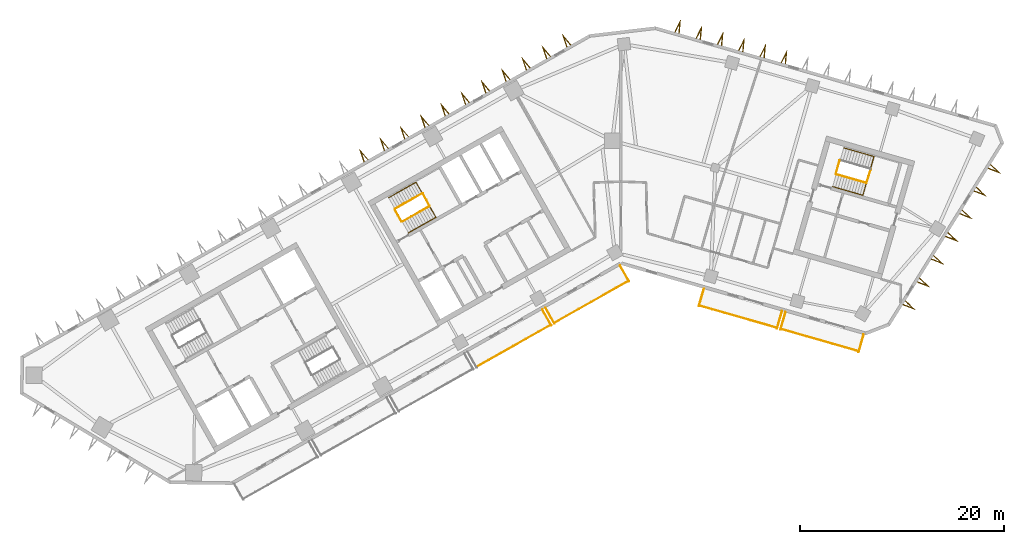
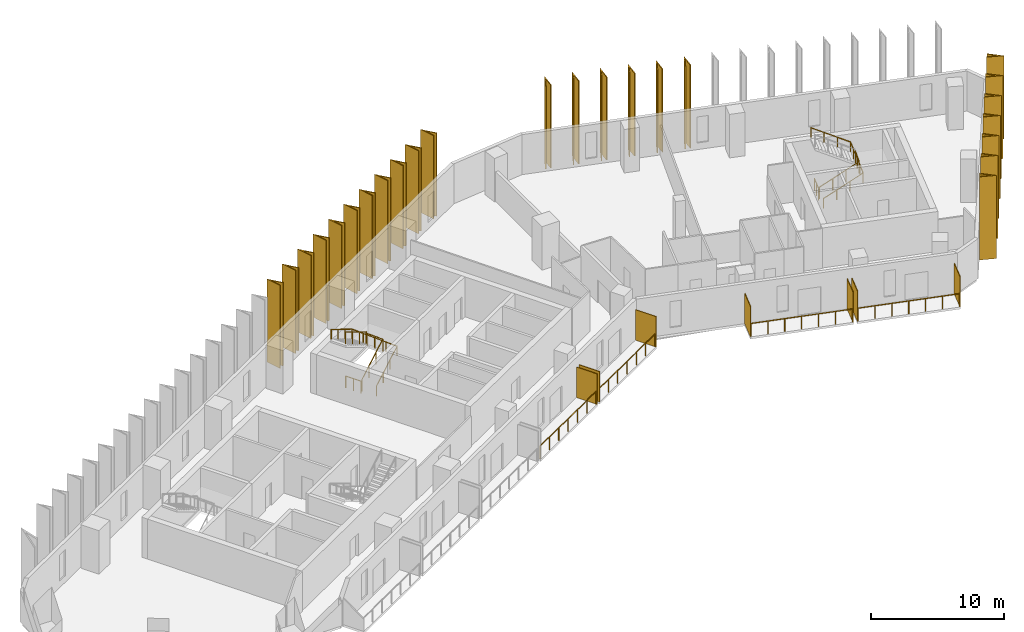
# One storey, part 9 of 10: 31 shading devices, 11 railings.
"""IFC4 building model written with IfcOpenShell, lengths in metres."""

from ifc_helpers import new_model, si_unit, direction, frame, origin, origin_2d, place, context, subcontext, project, spatial, polyline, rectangle, circle, outline, extrude, material, layer, layer_set, type_object, element, save


model = new_model("IFC4")

# Units and contexts
model_context = context("Model", 3, precision=1e-05, world=origin(), true_north=direction((0.0, 1.0)))
body_context = subcontext(model_context, "Body", "Model", "MODEL_VIEW")
ifc_project = project(units=[si_unit("LENGTHUNIT", "METRE"), si_unit("AREAUNIT", "SQUARE_METRE"), si_unit("VOLUMEUNIT", "CUBIC_METRE"), si_unit("PLANEANGLEUNIT", "RADIAN"), si_unit("MASSUNIT", "GRAM", prefix="KILO")], contexts=[model_context])

# Site, building, storey
site_placement = place(None, origin())
site = spatial("IfcSite", under=ifc_project, at=site_placement, CompositionType="ELEMENT")
building_placement = place(site_placement, origin())
building = spatial("IfcBuilding", under=site, at=building_placement, Name="Binnacle Exchange Tower", CompositionType="ELEMENT")
storey_placement = place(building_placement, frame((0.0, 0.0, 194.89990234375)))
storey = spatial("IfcBuildingStorey", under=building, at=storey_placement, Name="L42", CompositionType="ELEMENT", Elevation=194.89990234375)

# Railings
ifc_material_1 = material(Name="Bronze anodised aluminium frame", Category="aluminium")
railing_type_1 = type_object("IfcRailingType", Name="GUARD 1200", PredefinedType="GUARDRAIL", material=ifc_material_1)
railing_1_placement = place(storey_placement, frame((-14.135498046875, 37.85400390625, 0.0)))
element("IfcRailing", 1, at=railing_1_placement, inside=storey, type_object=railing_type_1, Name="Balcony guard G01-B03 L42", PredefinedType="GUARDRAIL", context=body_context, shape_type="SweptSolid", body=[
    extrude(circle(Radius=0.02392578125, at=origin_2d()), frame((0.0, 0.0, 1.17578125), z_axis=(0.870365821494, 0.492405662818, 0.0), x_axis=(-0.492405662818, 0.870365821494, 0.0)), (0.0, 0.0, 1.0), 8.334716796875),
    extrude(circle(Radius=0.02099609375, at=origin_2d()), origin(), (0.0, 0.0, 1.0), 1.15185546875),
    extrude(circle(Radius=0.02099609375, at=origin_2d()), frame((1.208984375, 0.68408203125, 0.0)), (0.0, 0.0, 1.0), 1.15185546875),
    extrude(circle(Radius=0.02099609375, at=origin_2d()), frame((2.41796875, 1.367919921875, 0.0)), (0.0, 0.0, 1.0), 1.15185546875),
    extrude(circle(Radius=0.02099609375, at=origin_2d()), frame((3.626953125, 2.052001953125, 0.0)), (0.0, 0.0, 1.0), 1.15185546875),
    extrude(circle(Radius=0.02099609375, at=origin_2d()), frame((4.836181640625, 2.736083984375, 0.0)), (0.0, 0.0, 1.0), 1.15185546875),
    extrude(circle(Radius=0.02099609375, at=origin_2d()), frame((6.045166015625, 3.419921875, 0.0)), (0.0, 0.0, 1.0), 1.15185546875),
    extrude(circle(Radius=0.02099609375, at=origin_2d()), frame((7.254150390625, 4.10400390625, 0.0)), (0.0, 0.0, 1.0), 1.15185546875),
])
railing_2_placement = place(storey_placement, frame((-6.515869140625, 42.164794921875, 0.0)))
element("IfcRailing", 2, at=railing_2_placement, inside=storey, type_object=railing_type_1, Name="Balcony guard G01-B04 L42", PredefinedType="GUARDRAIL", context=body_context, shape_type="SweptSolid", body=[
    extrude(circle(Radius=0.02392578125, at=origin_2d()), frame((0.0, 0.0, 1.17578125), z_axis=(0.8703461643, 0.49244040684, 0.0), x_axis=(-0.49244040684, 0.8703461643, 0.0)), (0.0, 0.0, 1.0), 8.33447265625),
    extrude(circle(Radius=0.02099609375, at=origin_2d()), origin(), (0.0, 0.0, 1.0), 1.15185546875),
    extrude(circle(Radius=0.02099609375, at=origin_2d()), frame((1.208984375, 0.68408203125, 0.0)), (0.0, 0.0, 1.0), 1.15185546875),
    extrude(circle(Radius=0.02099609375, at=origin_2d()), frame((2.41796875, 1.3681640625, 0.0)), (0.0, 0.0, 1.0), 1.15185546875),
    extrude(circle(Radius=0.02099609375, at=origin_2d()), frame((3.626953125, 2.05224609375, 0.0)), (0.0, 0.0, 1.0), 1.15185546875),
    extrude(circle(Radius=0.02099609375, at=origin_2d()), frame((4.8359375, 2.736083984375, 0.0)), (0.0, 0.0, 1.0), 1.15185546875),
    extrude(circle(Radius=0.02099609375, at=origin_2d()), frame((6.044921875, 3.420166015625, 0.0)), (0.0, 0.0, 1.0), 1.15185546875),
    extrude(circle(Radius=0.02099609375, at=origin_2d()), frame((7.25390625, 4.104248046875, 0.0)), (0.0, 0.0, 1.0), 1.15185546875),
])
for number, where, name in (
    (3, (7.6845703125, 43.85107421875, 0.0), "Balcony guard G02-B01 L42"),
    (4, (15.6826171875, 41.5576171875, 0.0), "Balcony guard G02-B02 L42"),
):
    element("IfcRailing", number, at=place(storey_placement, frame(where)), inside=storey, type_object=railing_type_1, Name=name, PredefinedType="GUARDRAIL", context=body_context, shape_type="SweptSolid", body=[
        extrude(circle(Radius=0.02392578125, at=origin_2d()), frame((0.0, 0.0, 1.17578125), z_axis=(0.961265805968, -0.275623022035, 0.0), x_axis=(0.275623022035, 0.961265805968, 0.0)), (0.0, 0.0, 1.0), 7.900146484375),
        extrude(circle(Radius=0.02099609375, at=origin_2d()), origin(), (0.0, 0.0, 1.0), 1.15185546875),
        extrude(circle(Radius=0.02099609375, at=origin_2d()), frame((1.265625, -0.36279296875, 0.0)), (0.0, 0.0, 1.0), 1.15185546875),
        extrude(circle(Radius=0.02099609375, at=origin_2d()), frame((2.531494140625, -0.725830078125, 0.0)), (0.0, 0.0, 1.0), 1.15185546875),
        extrude(circle(Radius=0.02099609375, at=origin_2d()), frame((3.797119140625, -1.0888671875, 0.0)), (0.0, 0.0, 1.0), 1.15185546875),
        extrude(circle(Radius=0.02099609375, at=origin_2d()), frame((5.062744140625, -1.45166015625, 0.0)), (0.0, 0.0, 1.0), 1.15185546875),
        extrude(circle(Radius=0.02099609375, at=origin_2d()), frame((6.32861328125, -1.814453125, 0.0)), (0.0, 0.0, 1.0), 1.15185546875),
        extrude(circle(Radius=0.02099609375, at=origin_2d()), frame((7.59423828125, -2.177490234375, 0.0)), (0.0, 0.0, 1.0), 1.15185546875),
    ])

# Shading devices
ifc_material_2 = material(Name="Bronze aluminium louvre", Category="aluminium")
ifc_layer = layer(ifc_material_2, 0.06005859375)
ifc_layer_set = layer_set([ifc_layer], Name="PLANTED SCREEN 60x2800")
shading_device_type_1 = type_object("IfcShadingDeviceType", Name="PLANTED SCREEN 60x2800", PredefinedType="USERDEFINED", material=ifc_layer_set)
for number, where, z_axis, x_axis, name in (
    (5, (-7.259033203125, 42.6865234375, 0.0), (0.0, 0.0, 1.0), (0.87035569594, 0.492423560103, 0.0), "Planted screen G01-B03b L42"),
    (6, (-6.94580078125, 42.864013671875, 0.0), (0.0, 0.0, 1.0), (0.87035569594, 0.492423560103, 0.0), "Planted screen G01-B04a L42"),
    (7, (0.3603515625, 46.99755859375, 0.0), (0.0, 0.0, 1.0), (0.87035569594, 0.492423560103, 0.0), "Planted screen G01-B04b L42"),
    (8, (7.881591796875, 44.647705078125, 0.0), (0.0, 0.0, 1.0), (0.961261695938, -0.275637355817, 0.0), "Planted screen G02-B01a L42"),
    (9, (15.53369140625, 42.45361328125, 0.0), (0.0, 0.0, 1.0), (0.961261695938, -0.275637355817, 0.0), "Planted screen G02-B01b L42"),
    (10, (15.8798828125, 42.354248046875, 0.0), (0.0, 0.0, 1.0), (0.961261695938, -0.275637355817, 0.0), "Planted screen G02-B02a L42"),
    (11, (23.53173828125, 40.16015625, 0.0), (0.0, 0.0, 1.0), (0.961261695938, -0.275637355817, 0.0), "Planted screen G02-B02b L42"),
):
    element("IfcShadingDevice", number, at=place(storey_placement, frame(where, z_axis=z_axis, x_axis=x_axis)), inside=storey, type_object=shading_device_type_1, Name=name, ObjectType="SCREEN", PredefinedType="USERDEFINED", context=body_context, shape_type="SweptSolid", body=[
        extrude(rectangle(XDim=0.06005859375, YDim=1.800048828125, at=origin_2d()), origin(), (0.0, 0.0, 1.0), 2.800048828125),
    ])

# Railings
ifc_material_3 = material(Name="Steel guard rail", Category="steel")
railing_type_2 = type_object("IfcRailingType", Name="STAIR GUARD 1100", PredefinedType="GUARDRAIL", material=ifc_material_3)
railing_3_placement = place(storey_placement, frame((-21.423828125, 52.07275390625, 0.166748046875)))
element("IfcRailing", 12, at=railing_3_placement, inside=storey, type_object=railing_type_2, Name="L42 STC1 stair guard 1", PredefinedType="GUARDRAIL", context=body_context, shape_type="SweptSolid", body=[
    extrude(circle(Radius=0.02392578125, at=origin_2d()), frame((0.0, 0.0, 1.076171875), z_axis=(0.747900833971, 0.423129324283, 0.511474258861), x_axis=(-0.492412445098, 0.870361984414, 0.0)), (0.0, 0.0, 1.0), 3.584228515625),
    extrude(circle(Radius=0.02392578125, at=origin_2d()), frame((2.6806640625, 1.5166015625, 2.9091796875), z_axis=(-0.460963092712, 0.887419307406, 0.0), x_axis=(-0.887419307406, -0.460963092712, 0.0)), (0.0, 0.0, 1.0), 1.40087890625),
    extrude(circle(Radius=0.02099609375, at=origin_2d()), origin(), (0.0, 0.0, 1.0), 1.052001953125),
    extrude(circle(Radius=0.02099609375, at=origin_2d()), frame((0.8935546875, 0.505615234375, 0.611083984375)), (0.0, 0.0, 1.0), 1.052001953125),
    extrude(circle(Radius=0.02099609375, at=origin_2d()), frame((1.787109375, 1.010986328125, 1.22216796875)), (0.0, 0.0, 1.0), 1.052001953125),
    extrude(circle(Radius=0.02099609375, at=origin_2d()), frame((2.6806640625, 1.5166015625, 1.833251953125)), (0.0, 0.0, 1.0), 1.052001953125),
    extrude(circle(Radius=0.02099609375, at=origin_2d()), frame((2.35791015625, 2.13818359375, 1.833251953125)), (0.0, 0.0, 1.0), 1.052001953125),
    extrude(circle(Radius=0.02099609375, at=origin_2d()), frame((2.034912109375, 2.759765625, 1.833251953125)), (0.0, 0.0, 1.0), 1.052001953125),
])
railing_4_placement = place(storey_placement, frame((-19.45703125, 54.851318359375, 2.166748046875)))
element("IfcRailing", 13, at=railing_4_placement, inside=storey, type_object=railing_type_2, Name="L42 STC1 stair guard 2", PredefinedType="GUARDRAIL", context=body_context, shape_type="SweptSolid", body=[
    extrude(circle(Radius=0.02392578125, at=origin_2d()), frame((0.0, 0.0, 1.076171875), z_axis=(-0.747900833971, -0.423129324283, 0.511474258861), x_axis=(0.492412445098, -0.870361984414, 0.0)), (0.0, 0.0, 1.0), 3.584228515625),
    extrude(circle(Radius=0.02099609375, at=origin_2d()), origin(), (0.0, 0.0, 1.0), 1.052001953125),
    extrude(circle(Radius=0.02099609375, at=origin_2d()), frame((-0.8935546875, -0.505615234375, 0.611083984375)), (0.0, 0.0, 1.0), 1.052001953125),
    extrude(circle(Radius=0.02099609375, at=origin_2d()), frame((-1.787109375, -1.010986328125, 1.22216796875)), (0.0, 0.0, 1.0), 1.052001953125),
    extrude(circle(Radius=0.02099609375, at=origin_2d()), frame((-2.6806640625, -1.5166015625, 1.833251953125)), (0.0, 0.0, 1.0), 1.052001953125),
])
railing_5_placement = place(storey_placement, frame((-21.491943359375, 52.091552734375, 0.0)))
element("IfcRailing", 14, at=railing_5_placement, inside=storey, type_object=railing_type_2, Name="L42 STC1 stair guard 3", PredefinedType="GUARDRAIL", context=body_context, shape_type="SweptSolid", body=[
    extrude(circle(Radius=0.02392578125, at=origin_2d()), frame((0.0, 0.0, 1.076171875), z_axis=(-0.49241474071, 0.870360685654, 0.0), x_axis=(-0.870360685654, -0.49241474071, 0.0)), (0.0, 0.0, 1.0), 1.35009765625),
    extrude(circle(Radius=0.02099609375, at=origin_2d()), origin(), (0.0, 0.0, 1.0), 1.052001953125),
    extrude(circle(Radius=0.02099609375, at=origin_2d()), frame((-0.33251953125, 0.58740234375, 0.0)), (0.0, 0.0, 1.0), 1.052001953125),
    extrude(circle(Radius=0.02099609375, at=origin_2d()), frame((-0.664794921875, 1.175048828125, 0.0)), (0.0, 0.0, 1.0), 1.052001953125),
])
railing_6_placement = place(storey_placement, frame((21.086669921875, 56.71044921875, 0.166748046875)))
element("IfcRailing", 15, at=railing_6_placement, inside=storey, type_object=railing_type_2, Name="L42 STD1 stair guard 1", PredefinedType="GUARDRAIL", context=body_context, shape_type="SweptSolid", body=[
    extrude(circle(Radius=0.02392578125, at=origin_2d()), frame((0.0, 0.0, 1.076171875), z_axis=(0.826006950853, -0.236897186037, 0.511460888427), x_axis=(0.27568413623, 0.961248280639, 0.0)), (0.0, 0.0, 1.0), 3.584228515625),
    extrude(circle(Radius=0.02392578125, at=origin_2d()), frame((2.960693359375, -0.84912109375, 2.9091796875), z_axis=(0.309684985722, 0.950839213337, 0.0), x_axis=(-0.950839213337, 0.309684985722, 0.0)), (0.0, 0.0, 1.0), 1.40087890625),
    extrude(circle(Radius=0.02099609375, at=origin_2d()), origin(), (0.0, 0.0, 1.0), 1.052001953125),
    extrude(circle(Radius=0.02099609375, at=origin_2d()), frame((0.98681640625, -0.282958984375, 0.611083984375)), (0.0, 0.0, 1.0), 1.052001953125),
    extrude(circle(Radius=0.02099609375, at=origin_2d()), frame((1.973876953125, -0.566162109375, 1.22216796875)), (0.0, 0.0, 1.0), 1.052001953125),
    extrude(circle(Radius=0.02099609375, at=origin_2d()), frame((2.960693359375, -0.84912109375, 1.833251953125)), (0.0, 0.0, 1.0), 1.052001953125),
    extrude(circle(Radius=0.02099609375, at=origin_2d()), frame((3.177734375, -0.18310546875, 1.833251953125)), (0.0, 0.0, 1.0), 1.052001953125),
    extrude(circle(Radius=0.02099609375, at=origin_2d()), frame((3.39453125, 0.48291015625, 1.833251953125)), (0.0, 0.0, 1.0), 1.052001953125),
])
railing_7_placement = place(storey_placement, frame((21.05224609375, 56.772216796875, 0.0)))
element("IfcRailing", 16, at=railing_7_placement, inside=storey, type_object=railing_type_2, Name="L42 STD1 stair guard 3", PredefinedType="GUARDRAIL", context=body_context, shape_type="SweptSolid", body=[
    extrude(circle(Radius=0.02392578125, at=origin_2d()), frame((0.0, 0.0, 1.076171875), z_axis=(0.275795817769, 0.961216243569, 0.0), x_axis=(-0.961216243569, 0.275795817769, 0.0)), (0.0, 0.0, 1.0), 1.349853515625),
    extrude(circle(Radius=0.02099609375, at=origin_2d()), origin(), (0.0, 0.0, 1.0), 1.052001953125),
    extrude(circle(Radius=0.02099609375, at=origin_2d()), frame((0.18603515625, 0.64892578125, 0.0)), (0.0, 0.0, 1.0), 1.052001953125),
    extrude(circle(Radius=0.02099609375, at=origin_2d()), frame((0.372314453125, 1.297607421875, 0.0)), (0.0, 0.0, 1.0), 1.052001953125),
])
ifc_material_4 = material(Name="Steel handrail", Category="steel")
railing_type_3 = type_object("IfcRailingType", Name="STAIR HANDRAIL 900", PredefinedType="HANDRAIL", material=ifc_material_4)
railing_8_placement = place(storey_placement, frame((-20.808349609375, 50.984619140625, 0.166748046875)))
element("IfcRailing", 17, at=railing_8_placement, inside=storey, type_object=railing_type_3, Name="L42 STC1 stair handrail 1", PredefinedType="HANDRAIL", context=body_context, shape_type="SweptSolid", body=[
    extrude(circle(Radius=0.02392578125, at=origin_2d()), frame((0.0, 0.0, 0.8759765625), z_axis=(0.747909291085, 0.423163685048, 0.51143346387), x_axis=(-0.49243851748, 0.870347233294, 0.0)), (0.0, 0.0, 1.0), 3.58447265625),
    extrude(circle(Radius=0.02392578125, at=origin_2d()), frame((2.680908203125, 1.516845703125, 2.708984375), z_axis=(-0.492001882252, 0.86957179666, 0.042178647619), x_axis=(-0.87034633103, -0.492440112159, 0.0)), (0.0, 0.0, 1.0), 3.953369140625),
    extrude(circle(Radius=0.02392578125, at=origin_2d()), frame((0.73583984375, 4.95458984375, 2.8759765625), z_axis=(-0.747930846092, -0.423107769413, 0.511448203561), x_axis=(0.492378474645, -0.870381202524, 0.0)), (0.0, 0.0, 1.0), 3.58447265625),
    extrude(circle(Radius=0.02099609375, at=origin_2d()), origin(), (0.0, 0.0, 1.0), 0.851806640625),
    extrude(circle(Radius=0.02099609375, at=origin_2d()), frame((0.8935546875, 0.505615234375, 0.611083984375)), (0.0, 0.0, 1.0), 0.851806640625),
    extrude(circle(Radius=0.02099609375, at=origin_2d()), frame((1.787353515625, 1.01123046875, 1.22216796875)), (0.0, 0.0, 1.0), 0.851806640625),
    extrude(circle(Radius=0.02099609375, at=origin_2d()), frame((2.680908203125, 1.516845703125, 1.833251953125)), (0.0, 0.0, 1.0), 0.851806640625),
    extrude(circle(Radius=0.02099609375, at=origin_2d()), frame((2.194580078125, 2.376220703125, 1.875)), (0.0, 0.0, 1.0), 0.851806640625),
    extrude(circle(Radius=0.02099609375, at=origin_2d()), frame((1.70849609375, 3.23583984375, 1.91650390625)), (0.0, 0.0, 1.0), 0.851806640625),
    extrude(circle(Radius=0.02099609375, at=origin_2d()), frame((1.22216796875, 4.09521484375, 1.958251953125)), (0.0, 0.0, 1.0), 0.851806640625),
    extrude(circle(Radius=0.02099609375, at=origin_2d()), frame((0.73583984375, 4.95458984375, 2.0)), (0.0, 0.0, 1.0), 0.851806640625),
    extrude(circle(Radius=0.02099609375, at=origin_2d()), frame((-0.15771484375, 4.448974609375, 2.611083984375)), (0.0, 0.0, 1.0), 0.851806640625),
    extrude(circle(Radius=0.02099609375, at=origin_2d()), frame((-1.051513671875, 3.943603515625, 3.22216796875)), (0.0, 0.0, 1.0), 0.851806640625),
    extrude(circle(Radius=0.02099609375, at=origin_2d()), frame((-1.945068359375, 3.43798828125, 3.833251953125)), (0.0, 0.0, 1.0), 0.851806640625),
])
railing_9_placement = place(storey_placement, frame((20.7421875, 55.5087890625, 0.166748046875)))
element("IfcRailing", 18, at=railing_9_placement, inside=storey, type_object=railing_type_3, Name="L42 STD1 stair handrail 1", PredefinedType="HANDRAIL", context=body_context, shape_type="SweptSolid", body=[
    extrude(circle(Radius=0.02392578125, at=origin_2d()), frame((0.0, 0.0, 0.8759765625), z_axis=(0.826020277534, -0.236832893954, 0.511469140266), x_axis=(0.275610892984, 0.961269283639, 0.0)), (0.0, 0.0, 1.0), 3.584228515625),
    extrude(circle(Radius=0.02392578125, at=origin_2d()), frame((2.960693359375, -0.848876953125, 2.708984375), z_axis=(0.275365570671, 0.960413849534, 0.042178668932), x_axis=(-0.961269298493, 0.275610841177, 0.0)), (0.0, 0.0, 1.0), 3.953369140625),
    extrude(circle(Radius=0.02392578125, at=origin_2d()), frame((4.04931640625, 2.947998046875, 2.8759765625), z_axis=(-0.826020277534, 0.236832893954, 0.511469140266), x_axis=(-0.275610892984, -0.961269283639, 0.0)), (0.0, 0.0, 1.0), 3.584228515625),
    extrude(circle(Radius=0.02099609375, at=origin_2d()), origin(), (0.0, 0.0, 1.0), 0.851806640625),
    extrude(circle(Radius=0.02099609375, at=origin_2d()), frame((0.98681640625, -0.282958984375, 0.611083984375)), (0.0, 0.0, 1.0), 0.851806640625),
    extrude(circle(Radius=0.02099609375, at=origin_2d()), frame((1.973876953125, -0.56591796875, 1.22216796875)), (0.0, 0.0, 1.0), 0.851806640625),
    extrude(circle(Radius=0.02099609375, at=origin_2d()), frame((2.960693359375, -0.848876953125, 1.833251953125)), (0.0, 0.0, 1.0), 0.851806640625),
    extrude(circle(Radius=0.02099609375, at=origin_2d()), frame((3.23291015625, 0.100341796875, 1.875)), (0.0, 0.0, 1.0), 0.851806640625),
    extrude(circle(Radius=0.02099609375, at=origin_2d()), frame((3.5048828125, 1.049560546875, 1.91650390625)), (0.0, 0.0, 1.0), 0.851806640625),
    extrude(circle(Radius=0.02099609375, at=origin_2d()), frame((3.777099609375, 1.998779296875, 1.958251953125)), (0.0, 0.0, 1.0), 0.851806640625),
    extrude(circle(Radius=0.02099609375, at=origin_2d()), frame((4.04931640625, 2.947998046875, 2.0)), (0.0, 0.0, 1.0), 0.851806640625),
    extrude(circle(Radius=0.02099609375, at=origin_2d()), frame((3.0625, 3.23095703125, 2.611083984375)), (0.0, 0.0, 1.0), 0.851806640625),
    extrude(circle(Radius=0.02099609375, at=origin_2d()), frame((2.075439453125, 3.513916015625, 3.22216796875)), (0.0, 0.0, 1.0), 0.851806640625),
    extrude(circle(Radius=0.02099609375, at=origin_2d()), frame((1.088623046875, 3.796875, 3.833251953125)), (0.0, 0.0, 1.0), 0.851806640625),
])

# Shading devices
ifc_material_5 = material(Name="Bronze aluminium cladding", Category="aluminium")
shading_device_type_2 = type_object("IfcShadingDeviceType", Name="V FIN 1300 DEEP x 7650 HIGH", PredefinedType="USERDEFINED", material=ifc_material_5)
shading_device_1_placement = place(storey_placement, origin())
element("IfcShadingDevice", 19, at=shading_device_1_placement, inside=storey, type_object=shading_device_type_2, Name="V fin FN-G04-01 L42", ObjectType="FIN", PredefinedType="USERDEFINED", context=body_context, shape_type="SweptSolid", body=[
    extrude(outline(polyline([(27.61669921875, 43.9130859375), (28.851806640625, 43.43603515625), (27.881591796875, 44.3369140625), (27.83837890625, 44.267822265625), (28.492431640625, 43.66064453125), (27.659912109375, 43.982177734375), (27.61669921875, 43.9130859375)])), origin(), (0.0, 0.0, 1.0), 7.650146484375),
])
shading_device_2_placement = place(storey_placement, origin())
element("IfcShadingDevice", 20, at=shading_device_2_placement, inside=storey, type_object=shading_device_type_2, Name="V fin FN-G04-02 L42", ObjectType="FIN", PredefinedType="USERDEFINED", context=body_context, shape_type="SweptSolid", body=[
    extrude(outline(polyline([(29.0078125, 46.13916015625), (30.242919921875, 45.662353515625), (29.272705078125, 46.563232421875), (29.2294921875, 46.494140625), (29.883544921875, 45.88671875), (29.051025390625, 46.208251953125), (29.0078125, 46.13916015625)])), origin(), (0.0, 0.0, 1.0), 7.650146484375),
])
shading_device_3_placement = place(storey_placement, origin())
element("IfcShadingDevice", 21, at=shading_device_3_placement, inside=storey, type_object=shading_device_type_2, Name="V fin FN-G04-03 L42", ObjectType="FIN", PredefinedType="USERDEFINED", context=body_context, shape_type="SweptSolid", body=[
    extrude(outline(polyline([(30.398681640625, 48.365234375), (31.6337890625, 47.888427734375), (30.663818359375, 48.789306640625), (30.62060546875, 48.72021484375), (31.2744140625, 48.11279296875), (30.44189453125, 48.434326171875), (30.398681640625, 48.365234375)])), origin(), (0.0, 0.0, 1.0), 7.650146484375),
])
shading_device_4_placement = place(storey_placement, origin())
element("IfcShadingDevice", 22, at=shading_device_4_placement, inside=storey, type_object=shading_device_type_2, Name="V fin FN-G04-04 L42", ObjectType="FIN", PredefinedType="USERDEFINED", context=body_context, shape_type="SweptSolid", body=[
    extrude(outline(polyline([(31.789794921875, 50.59130859375), (33.02490234375, 50.114501953125), (32.054931640625, 51.015380859375), (32.01171875, 50.9462890625), (32.66552734375, 50.339111328125), (31.8330078125, 50.660400390625), (31.789794921875, 50.59130859375)])), origin(), (0.0, 0.0, 1.0), 7.650146484375),
])
shading_device_5_placement = place(storey_placement, origin())
element("IfcShadingDevice", 23, at=shading_device_5_placement, inside=storey, type_object=shading_device_type_2, Name="V fin FN-G04-05 L42", ObjectType="FIN", PredefinedType="USERDEFINED", context=body_context, shape_type="SweptSolid", body=[
    extrude(outline(polyline([(33.180908203125, 52.8173828125), (34.416015625, 52.340576171875), (33.44580078125, 53.241455078125), (33.402587890625, 53.17236328125), (34.056640625, 52.565185546875), (33.22412109375, 52.88671875), (33.180908203125, 52.8173828125)])), origin(), (0.0, 0.0, 1.0), 7.650146484375),
])
shading_device_6_placement = place(storey_placement, origin())
element("IfcShadingDevice", 24, at=shading_device_6_placement, inside=storey, type_object=shading_device_type_2, Name="V fin FN-G04-06 L42", ObjectType="FIN", PredefinedType="USERDEFINED", context=body_context, shape_type="SweptSolid", body=[
    extrude(outline(polyline([(34.572021484375, 55.043701171875), (35.806884765625, 54.56689453125), (34.8369140625, 55.4677734375), (34.793701171875, 55.398681640625), (35.447509765625, 54.791259765625), (34.614990234375, 55.11279296875), (34.572021484375, 55.043701171875)])), origin(), (0.0, 0.0, 1.0), 7.650146484375),
])
shading_device_7_placement = place(storey_placement, origin())
element("IfcShadingDevice", 25, at=shading_device_7_placement, inside=storey, type_object=shading_device_type_2, Name="V fin FN-G04-07 L42", ObjectType="FIN", PredefinedType="USERDEFINED", context=body_context, shape_type="SweptSolid", body=[
    extrude(outline(polyline([(35.962890625, 57.269775390625), (37.197998046875, 56.79296875), (36.22802734375, 57.69384765625), (36.184814453125, 57.624755859375), (36.838623046875, 57.017333984375), (36.006103515625, 57.3388671875), (35.962890625, 57.269775390625)])), origin(), (0.0, 0.0, 1.0), 7.650146484375),
])
shading_device_8_placement = place(storey_placement, origin())
element("IfcShadingDevice", 26, at=shading_device_8_placement, inside=storey, type_object=shading_device_type_2, Name="V fin FN-G06-10 L42", ObjectType="FIN", PredefinedType="USERDEFINED", context=body_context, shape_type="SweptSolid", body=[
    extrude(outline(polyline([(16.151611328125, 67.524658203125), (16.26953125, 68.84326171875), (15.6708984375, 67.66259765625), (15.749267578125, 67.64013671875), (16.15283203125, 68.43603515625), (16.0732421875, 67.547119140625), (16.151611328125, 67.524658203125)])), origin(), (0.0, 0.0, 1.0), 7.650146484375),
])
shading_device_9_placement = place(storey_placement, origin())
element("IfcShadingDevice", 27, at=shading_device_9_placement, inside=storey, type_object=shading_device_type_2, Name="V fin FN-G06-11 L42", ObjectType="FIN", PredefinedType="USERDEFINED", context=body_context, shape_type="SweptSolid", body=[
    extrude(outline(polyline([(14.0673828125, 68.122314453125), (14.185302734375, 69.44091796875), (13.586669921875, 68.260009765625), (13.6650390625, 68.23779296875), (14.068603515625, 69.03369140625), (13.989013671875, 68.144775390625), (14.0673828125, 68.122314453125)])), origin(), (0.0, 0.0, 1.0), 7.650146484375),
])
shading_device_10_placement = place(storey_placement, origin())
element("IfcShadingDevice", 28, at=shading_device_10_placement, inside=storey, type_object=shading_device_type_2, Name="V fin FN-G06-12 L42", ObjectType="FIN", PredefinedType="USERDEFINED", context=body_context, shape_type="SweptSolid", body=[
    extrude(outline(polyline([(11.98291015625, 68.719970703125), (12.10107421875, 70.03857421875), (11.50244140625, 68.85791015625), (11.580810546875, 68.83544921875), (11.984375, 69.63134765625), (11.90478515625, 68.742431640625), (11.98291015625, 68.719970703125)])), origin(), (0.0, 0.0, 1.0), 7.650146484375),
])
shading_device_11_placement = place(storey_placement, origin())
element("IfcShadingDevice", 29, at=shading_device_11_placement, inside=storey, type_object=shading_device_type_2, Name="V fin FN-G06-13 L42", ObjectType="FIN", PredefinedType="USERDEFINED", context=body_context, shape_type="SweptSolid", body=[
    extrude(outline(polyline([(9.898681640625, 69.317626953125), (10.016845703125, 70.635986328125), (9.418212890625, 69.455322265625), (9.49658203125, 69.43310546875), (9.900146484375, 70.22900390625), (9.820556640625, 69.340087890625), (9.898681640625, 69.317626953125)])), origin(), (0.0, 0.0, 1.0), 7.650146484375),
])
shading_device_12_placement = place(storey_placement, origin())
element("IfcShadingDevice", 30, at=shading_device_12_placement, inside=storey, type_object=shading_device_type_2, Name="V fin FN-G06-14 L42", ObjectType="FIN", PredefinedType="USERDEFINED", context=body_context, shape_type="SweptSolid", body=[
    extrude(outline(polyline([(7.814453125, 69.915283203125), (7.9326171875, 71.233642578125), (7.333984375, 70.052978515625), (7.412109375, 70.030517578125), (7.81591796875, 70.826416015625), (7.736083984375, 69.9375), (7.814453125, 69.915283203125)])), origin(), (0.0, 0.0, 1.0), 7.650146484375),
])
shading_device_13_placement = place(storey_placement, origin())
element("IfcShadingDevice", 31, at=shading_device_13_placement, inside=storey, type_object=shading_device_type_2, Name="V fin FN-G06-15 L42", ObjectType="FIN", PredefinedType="USERDEFINED", context=body_context, shape_type="SweptSolid", body=[
    extrude(outline(polyline([(5.730224609375, 70.512939453125), (5.84814453125, 71.831298828125), (5.24951171875, 70.650634765625), (5.327880859375, 70.62841796875), (5.7314453125, 71.42431640625), (5.65185546875, 70.535400390625), (5.730224609375, 70.512939453125)])), origin(), (0.0, 0.0, 1.0), 7.650146484375),
])
shading_device_14_placement = place(storey_placement, origin())
element("IfcShadingDevice", 32, at=shading_device_14_placement, inside=storey, type_object=shading_device_type_2, Name="V fin FN-G08-01 L42", ObjectType="FIN", PredefinedType="USERDEFINED", context=body_context, shape_type="SweptSolid", body=[
    extrude(outline(polyline([(-4.88916015625, 69.40625), (-5.746826171875, 70.41455078125), (-5.32421875, 69.159912109375), (-5.25341796875, 69.2001953125), (-5.5380859375, 70.0458984375), (-4.9599609375, 69.3662109375), (-4.88916015625, 69.40625)])), origin(), (0.0, 0.0, 1.0), 7.650146484375),
])
shading_device_15_placement = place(storey_placement, origin())
element("IfcShadingDevice", 33, at=shading_device_15_placement, inside=storey, type_object=shading_device_type_2, Name="V fin FN-G08-02 L42", ObjectType="FIN", PredefinedType="USERDEFINED", context=body_context, shape_type="SweptSolid", body=[
    extrude(outline(polyline([(-6.87548828125, 68.2822265625), (-7.7333984375, 69.290771484375), (-7.310791015625, 68.0361328125), (-7.239990234375, 68.076171875), (-7.524658203125, 68.922119140625), (-6.946533203125, 68.2421875), (-6.87548828125, 68.2822265625)])), origin(), (0.0, 0.0, 1.0), 7.650146484375),
])
shading_device_16_placement = place(storey_placement, origin())
element("IfcShadingDevice", 34, at=shading_device_16_placement, inside=storey, type_object=shading_device_type_2, Name="V fin FN-G08-03 L42", ObjectType="FIN", PredefinedType="USERDEFINED", context=body_context, shape_type="SweptSolid", body=[
    extrude(outline(polyline([(-8.862060546875, 67.158203125), (-9.719970703125, 68.166748046875), (-9.29736328125, 66.912109375), (-9.226318359375, 66.9521484375), (-9.51123046875, 67.798095703125), (-8.93310546875, 67.1181640625), (-8.862060546875, 67.158203125)])), origin(), (0.0, 0.0, 1.0), 7.650146484375),
])
shading_device_17_placement = place(storey_placement, origin())
element("IfcShadingDevice", 35, at=shading_device_17_placement, inside=storey, type_object=shading_device_type_2, Name="V fin FN-G08-04 L42", ObjectType="FIN", PredefinedType="USERDEFINED", context=body_context, shape_type="SweptSolid", body=[
    extrude(outline(polyline([(-10.8486328125, 66.034423828125), (-11.70654296875, 67.042724609375), (-11.283935546875, 65.7880859375), (-11.212890625, 65.828369140625), (-11.497802734375, 66.674072265625), (-10.919677734375, 65.994384765625), (-10.8486328125, 66.034423828125)])), origin(), (0.0, 0.0, 1.0), 7.650146484375),
])
shading_device_18_placement = place(storey_placement, origin())
element("IfcShadingDevice", 36, at=shading_device_18_placement, inside=storey, type_object=shading_device_type_2, Name="V fin FN-G08-05 L42", ObjectType="FIN", PredefinedType="USERDEFINED", context=body_context, shape_type="SweptSolid", body=[
    extrude(outline(polyline([(-12.835205078125, 64.910400390625), (-13.693115234375, 65.9189453125), (-13.2705078125, 64.664306640625), (-13.199462890625, 64.704345703125), (-13.484375, 65.55029296875), (-12.906005859375, 64.870361328125), (-12.835205078125, 64.910400390625)])), origin(), (0.0, 0.0, 1.0), 7.650146484375),
])
shading_device_19_placement = place(storey_placement, origin())
element("IfcShadingDevice", 37, at=shading_device_19_placement, inside=storey, type_object=shading_device_type_2, Name="V fin FN-G08-06 L42", ObjectType="FIN", PredefinedType="USERDEFINED", context=body_context, shape_type="SweptSolid", body=[
    extrude(outline(polyline([(-14.82177734375, 63.78662109375), (-15.6796875, 64.794921875), (-15.257080078125, 63.540283203125), (-15.18603515625, 63.580322265625), (-15.470947265625, 64.42626953125), (-14.892578125, 63.746337890625), (-14.82177734375, 63.78662109375)])), origin(), (0.0, 0.0, 1.0), 7.650146484375),
])
shading_device_20_placement = place(storey_placement, origin())
element("IfcShadingDevice", 38, at=shading_device_20_placement, inside=storey, type_object=shading_device_type_2, Name="V fin FN-G08-07 L42", ObjectType="FIN", PredefinedType="USERDEFINED", context=body_context, shape_type="SweptSolid", body=[
    extrude(outline(polyline([(-16.808349609375, 62.66259765625), (-17.666015625, 63.6708984375), (-17.243408203125, 62.41650390625), (-17.172607421875, 62.45654296875), (-17.45751953125, 63.30224609375), (-16.879150390625, 62.62255859375), (-16.808349609375, 62.66259765625)])), origin(), (0.0, 0.0, 1.0), 7.650146484375),
])
shading_device_21_placement = place(storey_placement, origin())
element("IfcShadingDevice", 39, at=shading_device_21_placement, inside=storey, type_object=shading_device_type_2, Name="V fin FN-G08-08 L42", ObjectType="FIN", PredefinedType="USERDEFINED", context=body_context, shape_type="SweptSolid", body=[
    extrude(outline(polyline([(-18.794921875, 61.53857421875), (-19.652587890625, 62.547119140625), (-19.22998046875, 61.29248046875), (-19.1591796875, 61.33251953125), (-19.444091796875, 62.17822265625), (-18.86572265625, 61.49853515625), (-18.794921875, 61.53857421875)])), origin(), (0.0, 0.0, 1.0), 7.650146484375),
])
shading_device_22_placement = place(storey_placement, origin())
element("IfcShadingDevice", 40, at=shading_device_22_placement, inside=storey, type_object=shading_device_type_2, Name="V fin FN-G08-09 L42", ObjectType="FIN", PredefinedType="USERDEFINED", context=body_context, shape_type="SweptSolid", body=[
    extrude(outline(polyline([(-20.781494140625, 60.414794921875), (-21.639404296875, 61.423095703125), (-21.216796875, 60.16845703125), (-21.145751953125, 60.20849609375), (-21.4306640625, 61.054443359375), (-20.852294921875, 60.37451171875), (-20.781494140625, 60.414794921875)])), origin(), (0.0, 0.0, 1.0), 7.650146484375),
])
shading_device_23_placement = place(storey_placement, origin())
element("IfcShadingDevice", 41, at=shading_device_23_placement, inside=storey, type_object=shading_device_type_2, Name="V fin FN-G08-10 L42", ObjectType="FIN", PredefinedType="USERDEFINED", context=body_context, shape_type="SweptSolid", body=[
    extrude(outline(polyline([(-22.76806640625, 59.290771484375), (-23.625732421875, 60.29931640625), (-23.203125, 59.044677734375), (-23.13232421875, 59.084716796875), (-23.4169921875, 59.930419921875), (-22.8388671875, 59.250732421875), (-22.76806640625, 59.290771484375)])), origin(), (0.0, 0.0, 1.0), 7.650146484375),
])
shading_device_24_placement = place(storey_placement, origin())
element("IfcShadingDevice", 42, at=shading_device_24_placement, inside=storey, type_object=shading_device_type_2, Name="V fin FN-G08-11 L42", ObjectType="FIN", PredefinedType="USERDEFINED", context=body_context, shape_type="SweptSolid", body=[
    extrude(outline(polyline([(-24.754638671875, 58.166748046875), (-25.6123046875, 59.17529296875), (-25.189697265625, 57.920654296875), (-25.118896484375, 57.960693359375), (-25.40380859375, 58.806396484375), (-24.825439453125, 58.126708984375), (-24.754638671875, 58.166748046875)])), origin(), (0.0, 0.0, 1.0), 7.650146484375),
])

save(model, "model.ifc")
